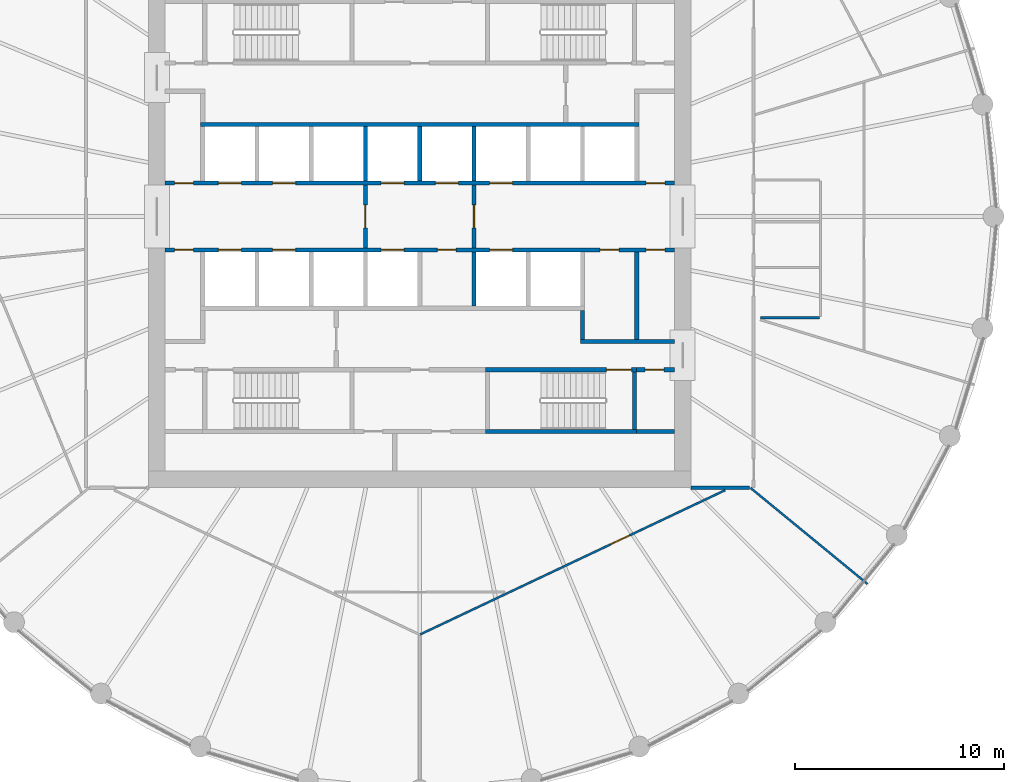
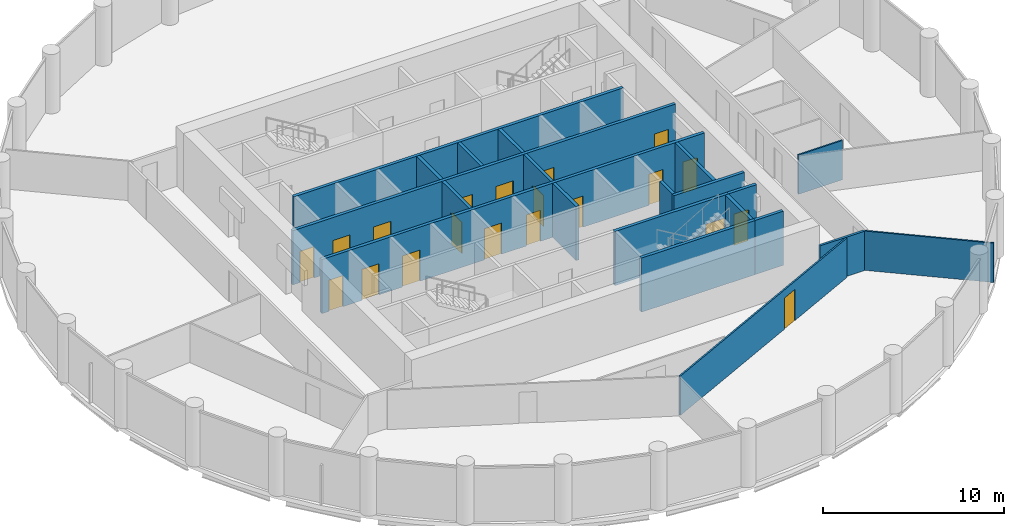
# One storey, part 5 of 8: 21 walls, 20 doors, 20 openings.
"""IFC4 building model written with IfcOpenShell, lengths in metres."""

from ifc_helpers import new_model, si_unit, direction, frame, frame_2d, origin, place, context, subcontext, project, spatial, polyline, rectangle, outline, extrude, material, layer, layer_set, type_object, element, fill, save


model = new_model("IFC4")

# Units and contexts
model_context = context("Model", 3, precision=1e-05, world=origin(), true_north=direction((0.0, 1.0)))
body_context = subcontext(model_context, "Body", "Model", "MODEL_VIEW")
ifc_project = project(units=[si_unit("LENGTHUNIT", "METRE"), si_unit("AREAUNIT", "SQUARE_METRE"), si_unit("VOLUMEUNIT", "CUBIC_METRE"), si_unit("PLANEANGLEUNIT", "RADIAN"), si_unit("MASSUNIT", "GRAM", prefix="KILO")], contexts=[model_context])

# Site, building, storey
site_placement = place(None, origin())
site = spatial("IfcSite", under=ifc_project, at=site_placement, CompositionType="ELEMENT")
building_placement = place(site_placement, origin())
building = spatial("IfcBuilding", under=site, at=building_placement, Name="Corvane Civic Tower", CompositionType="ELEMENT")
storey_placement = place(building_placement, frame((0.0, 0.0, 253.5)))
storey = spatial("IfcBuildingStorey", under=building, at=storey_placement, Name="L60", CompositionType="ELEMENT", Elevation=253.5)

# Wall, opening, door
ifc_material_1 = material(Name="Concrete C30/37", Category="concrete")
ifc_layer_1 = layer(ifc_material_1, 0.199951171875)
ifc_layer_set_1 = layer_set([ifc_layer_1], Name="Concrete C30/37")
wall_type_1 = type_object("IfcWallType", Name="CR-WALL-200", PredefinedType="PARTITIONING", material=ifc_layer_set_1)
wall_1_placement = place(storey_placement, frame((10.39990234375, -7.35009765625, 0.0), z_axis=(0.0, 0.0, 1.0), x_axis=(1.0, 0.0, 0.0)))
wall_1 = element("IfcWall", 1, at=wall_1_placement, inside=storey, type_object=wall_type_1, Name="L60 core partition wall", PredefinedType="PARTITIONING", context=body_context, shape_type="SweptSolid", body=[
    extrude(rectangle(XDim=1.800048828125, YDim=0.199951171875, at=frame_2d((0.89990234375, 0.0))), origin(), (0.0, 0.0, 1.0), 3.64990234375),
])
opening_1_placement = place(wall_1_placement, frame((0.39990234375, 0.0, 0.0)))
opening_1 = element("IfcOpeningElement", 2, at=opening_1_placement, cuts=wall_1, Name="Opening L60.C16", PredefinedType="OPENING", context=body_context, shape_type="SweptSolid", body=[
    extrude(rectangle(XDim=0.89990234375, YDim=2.10009765625, at=frame_2d((0.449951171875, 1.050048828125))), frame((0.0, 0.10986328125, 0.0), z_axis=(0.0, -1.0, 0.0), x_axis=(1.0, 0.0, 0.0)), (0.0, 0.0, 1.0), 0.219970703125),
])
ifc_material_2 = material(Name="Steel fire door leaf", Category="steel")
door_type_1 = type_object("IfcDoorType", Name="CR-DOOR-900", OperationType="SINGLE_SWING_LEFT", PredefinedType="DOOR", material=ifc_material_2)
door_1_placement = place(opening_1_placement, origin())
door_1 = element("IfcDoor", 3, at=door_1_placement, inside=storey, type_object=door_type_1, Name="L60 door", OperationType="SINGLE_SWING_LEFT", OverallHeight=2.10009765625, OverallWidth=0.89990234375, PredefinedType="DOOR", context=body_context, shape_type="SweptSolid", body=[
    extrude(rectangle(XDim=0.89990234375, YDim=2.10009765625, at=frame_2d((0.449951171875, 1.050048828125))), frame((0.0, 0.02490234375, 0.0), z_axis=(0.0, -1.0, 0.0), x_axis=(1.0, 0.0, 0.0)), (0.0, 0.0, 1.0), 0.050048828125),
])
fill(opening_1, door_1)

# Wall, openings, doors
wall_2_placement = place(storey_placement, frame((-12.199951171875, -1.60009765625, 0.0), z_axis=(0.0, 0.0, 1.0), x_axis=(1.0, 0.0, 0.0)))
wall_2 = element("IfcWall", 4, at=wall_2_placement, inside=storey, type_object=wall_type_1, Name="L60 lift shaft wall", PredefinedType="PARTITIONING", context=body_context, shape_type="SweptSolid", body=[
    extrude(rectangle(XDim=24.39990234375, YDim=0.199951171875, at=frame_2d((12.199951171875, 0.0))), origin(), (0.0, 0.0, 1.0), 3.64990234375),
])
opening_2_placement = place(wall_2_placement, frame((2.550048828125, 0.0, 0.0)))
opening_2 = element("IfcOpeningElement", 5, at=opening_2_placement, cuts=wall_2, Name="Opening LD", PredefinedType="OPENING", context=body_context, shape_type="SweptSolid", body=[
    extrude(rectangle(XDim=1.10009765625, YDim=2.10009765625, at=frame_2d((0.550048828125, 1.050048828125))), frame((0.0, 0.10986328125, 0.0), z_axis=(0.0, -1.0, 0.0), x_axis=(1.0, 0.0, 0.0)), (0.0, 0.0, 1.0), 0.219970703125),
])
opening_3_placement = place(wall_2_placement, frame((5.14990234375, 0.0, 0.0)))
opening_3 = element("IfcOpeningElement", 6, at=opening_3_placement, cuts=wall_2, Name="Opening LD", PredefinedType="OPENING", context=body_context, shape_type="SweptSolid", body=[
    extrude(rectangle(XDim=1.10009765625, YDim=2.10009765625, at=frame_2d((0.550048828125, 1.050048828125))), frame((0.0, 0.10986328125, 0.0), z_axis=(0.0, -1.0, 0.0), x_axis=(1.0, 0.0, 0.0)), (0.0, 0.0, 1.0), 0.219970703125),
])
opening_4_placement = place(wall_2_placement, frame((10.35009765625, 0.0, 0.0)))
opening_4 = element("IfcOpeningElement", 7, at=opening_4_placement, cuts=wall_2, Name="Opening LD", PredefinedType="OPENING", context=body_context, shape_type="SweptSolid", body=[
    extrude(rectangle(XDim=1.10009765625, YDim=2.10009765625, at=frame_2d((0.550048828125, 1.050048828125))), frame((0.0, 0.10986328125, 0.0), z_axis=(0.0, -1.0, 0.0), x_axis=(1.0, 0.0, 0.0)), (0.0, 0.0, 1.0), 0.219970703125),
])
opening_5_placement = place(wall_2_placement, frame((13.050048828125, 0.0, 0.0)))
opening_5 = element("IfcOpeningElement", 8, at=opening_5_placement, cuts=wall_2, Name="Opening L60.C03", PredefinedType="OPENING", context=body_context, shape_type="SweptSolid", body=[
    extrude(rectangle(XDim=0.89990234375, YDim=2.10009765625, at=frame_2d((0.449951171875, 1.050048828125))), frame((0.0, 0.10986328125, 0.0), z_axis=(0.0, -1.0, 0.0), x_axis=(1.0, 0.0, 0.0)), (0.0, 0.0, 1.0), 0.219970703125),
])
opening_6_placement = place(wall_2_placement, frame((15.550048828125, 0.0, 0.0)))
opening_6 = element("IfcOpeningElement", 9, at=opening_6_placement, cuts=wall_2, Name="Opening LD", PredefinedType="OPENING", context=body_context, shape_type="SweptSolid", body=[
    extrude(rectangle(XDim=1.10009765625, YDim=2.10009765625, at=frame_2d((0.550048828125, 1.050048828125))), frame((0.0, 0.10986328125, 0.0), z_axis=(0.0, -1.0, 0.0), x_axis=(1.0, 0.0, 0.0)), (0.0, 0.0, 1.0), 0.219970703125),
])
opening_7_placement = place(wall_2_placement, frame((0.449951171875, 0.0, 0.0)))
opening_7 = element("IfcOpeningElement", 10, at=opening_7_placement, cuts=wall_2, Name="Opening L60.C04", PredefinedType="OPENING", context=body_context, shape_type="SweptSolid", body=[
    extrude(rectangle(XDim=0.89990234375, YDim=2.10009765625, at=frame_2d((0.449951171875, 1.050048828125))), frame((0.0, 0.10986328125, 0.0), z_axis=(0.0, -1.0, 0.0), x_axis=(1.0, 0.0, 0.0)), (0.0, 0.0, 1.0), 0.219970703125),
])
opening_8_placement = place(wall_2_placement, frame((20.85009765625, 0.0, 0.0)))
opening_8 = element("IfcOpeningElement", 11, at=opening_8_placement, cuts=wall_2, Name="Opening L60.C05", PredefinedType="OPENING", context=body_context, shape_type="SweptSolid", body=[
    extrude(rectangle(XDim=0.89990234375, YDim=2.10009765625, at=frame_2d((0.449951171875, 1.050048828125))), frame((0.0, 0.10986328125, 0.0), z_axis=(0.0, -1.0, 0.0), x_axis=(1.0, 0.0, 0.0)), (0.0, 0.0, 1.0), 0.219970703125),
])
opening_9_placement = place(wall_2_placement, frame((23.050048828125, 0.0, 0.0)))
opening_9 = element("IfcOpeningElement", 12, at=opening_9_placement, cuts=wall_2, Name="Opening L60.C06", PredefinedType="OPENING", context=body_context, shape_type="SweptSolid", body=[
    extrude(rectangle(XDim=0.89990234375, YDim=2.10009765625, at=frame_2d((0.449951171875, 1.050048828125))), frame((0.0, 0.10986328125, 0.0), z_axis=(0.0, -1.0, 0.0), x_axis=(1.0, 0.0, 0.0)), (0.0, 0.0, 1.0), 0.219970703125),
])
door_2_placement = place(opening_5_placement, origin())
door_2 = element("IfcDoor", 13, at=door_2_placement, inside=storey, type_object=door_type_1, Name="L60 door", OperationType="SINGLE_SWING_LEFT", OverallHeight=2.10009765625, OverallWidth=0.89990234375, PredefinedType="DOOR", context=body_context, shape_type="SweptSolid", body=[
    extrude(rectangle(XDim=0.89990234375, YDim=2.10009765625, at=frame_2d((0.449951171875, 1.050048828125))), frame((0.0, 0.02490234375, 0.0), z_axis=(0.0, -1.0, 0.0), x_axis=(1.0, 0.0, 0.0)), (0.0, 0.0, 1.0), 0.050048828125),
])
fill(opening_5, door_2)
door_3_placement = place(opening_7_placement, origin())
door_3 = element("IfcDoor", 14, at=door_3_placement, inside=storey, type_object=door_type_1, Name="L60 door", OperationType="SINGLE_SWING_LEFT", OverallHeight=2.10009765625, OverallWidth=0.89990234375, PredefinedType="DOOR", context=body_context, shape_type="SweptSolid", body=[
    extrude(rectangle(XDim=0.89990234375, YDim=2.10009765625, at=frame_2d((0.449951171875, 1.050048828125))), frame((0.0, 0.02490234375, 0.0), z_axis=(0.0, -1.0, 0.0), x_axis=(1.0, 0.0, 0.0)), (0.0, 0.0, 1.0), 0.050048828125),
])
fill(opening_7, door_3)
door_4_placement = place(opening_8_placement, origin())
door_4 = element("IfcDoor", 15, at=door_4_placement, inside=storey, type_object=door_type_1, Name="L60 door", OperationType="SINGLE_SWING_LEFT", OverallHeight=2.10009765625, OverallWidth=0.89990234375, PredefinedType="DOOR", context=body_context, shape_type="SweptSolid", body=[
    extrude(rectangle(XDim=0.89990234375, YDim=2.10009765625, at=frame_2d((0.449951171875, 1.050048828125))), frame((0.0, 0.02490234375, 0.0), z_axis=(0.0, -1.0, 0.0), x_axis=(1.0, 0.0, 0.0)), (0.0, 0.0, 1.0), 0.050048828125),
])
fill(opening_8, door_4)
door_5_placement = place(opening_9_placement, origin())
door_5 = element("IfcDoor", 16, at=door_5_placement, inside=storey, type_object=door_type_1, Name="L60 door", OperationType="SINGLE_SWING_LEFT", OverallHeight=2.10009765625, OverallWidth=0.89990234375, PredefinedType="DOOR", context=body_context, shape_type="SweptSolid", body=[
    extrude(rectangle(XDim=0.89990234375, YDim=2.10009765625, at=frame_2d((0.449951171875, 1.050048828125))), frame((0.0, 0.02490234375, 0.0), z_axis=(0.0, -1.0, 0.0), x_axis=(1.0, 0.0, 0.0)), (0.0, 0.0, 1.0), 0.050048828125),
])
fill(opening_9, door_5)
ifc_material_3 = material(Name="Stainless steel 316 door leaves", Category="steel")
door_type_2 = type_object("IfcDoorType", Name="LD", OperationType="DOUBLE_DOOR_SLIDING", PredefinedType="DOOR", material=ifc_material_3)
door_6_placement = place(opening_2_placement, origin())
door_6 = element("IfcDoor", 17, at=door_6_placement, inside=storey, type_object=door_type_2, Name="L60 landing door", OperationType="DOUBLE_DOOR_SLIDING", OverallHeight=2.10009765625, OverallWidth=1.10009765625, PredefinedType="DOOR", context=body_context, shape_type="SweptSolid", body=[
    extrude(rectangle(XDim=1.10009765625, YDim=2.10009765625, at=frame_2d((0.550048828125, 1.050048828125))), frame((0.0, 0.02490234375, 0.0), z_axis=(0.0, -1.0, 0.0), x_axis=(1.0, 0.0, 0.0)), (0.0, 0.0, 1.0), 0.050048828125),
])
fill(opening_2, door_6)
door_7_placement = place(opening_3_placement, origin())
door_7 = element("IfcDoor", 18, at=door_7_placement, inside=storey, type_object=door_type_2, Name="L60 landing door", OperationType="DOUBLE_DOOR_SLIDING", OverallHeight=2.10009765625, OverallWidth=1.10009765625, PredefinedType="DOOR", context=body_context, shape_type="SweptSolid", body=[
    extrude(rectangle(XDim=1.10009765625, YDim=2.10009765625, at=frame_2d((0.550048828125, 1.050048828125))), frame((0.0, 0.02490234375, 0.0), z_axis=(0.0, -1.0, 0.0), x_axis=(1.0, 0.0, 0.0)), (0.0, 0.0, 1.0), 0.050048828125),
])
fill(opening_3, door_7)
door_8_placement = place(opening_4_placement, origin())
door_8 = element("IfcDoor", 19, at=door_8_placement, inside=storey, type_object=door_type_2, Name="L60 landing door", OperationType="DOUBLE_DOOR_SLIDING", OverallHeight=2.10009765625, OverallWidth=1.10009765625, PredefinedType="DOOR", context=body_context, shape_type="SweptSolid", body=[
    extrude(rectangle(XDim=1.10009765625, YDim=2.10009765625, at=frame_2d((0.550048828125, 1.050048828125))), frame((0.0, 0.02490234375, 0.0), z_axis=(0.0, -1.0, 0.0), x_axis=(1.0, 0.0, 0.0)), (0.0, 0.0, 1.0), 0.050048828125),
])
fill(opening_4, door_8)
door_9_placement = place(opening_6_placement, origin())
door_9 = element("IfcDoor", 20, at=door_9_placement, inside=storey, type_object=door_type_2, Name="L60 landing door", OperationType="DOUBLE_DOOR_SLIDING", OverallHeight=2.10009765625, OverallWidth=1.10009765625, PredefinedType="DOOR", context=body_context, shape_type="SweptSolid", body=[
    extrude(rectangle(XDim=1.10009765625, YDim=2.10009765625, at=frame_2d((0.550048828125, 1.050048828125))), frame((0.0, 0.02490234375, 0.0), z_axis=(0.0, -1.0, 0.0), x_axis=(1.0, 0.0, 0.0)), (0.0, 0.0, 1.0), 0.050048828125),
])
fill(opening_6, door_9)

wall_3_placement = place(storey_placement, frame((-12.199951171875, 1.60009765625, 0.0), z_axis=(0.0, 0.0, 1.0), x_axis=(1.0, 0.0, 0.0)))
wall_3 = element("IfcWall", 21, at=wall_3_placement, inside=storey, type_object=wall_type_1, Name="L60 lift shaft wall", PredefinedType="PARTITIONING", context=body_context, shape_type="SweptSolid", body=[
    extrude(rectangle(XDim=24.39990234375, YDim=0.199951171875, at=frame_2d((12.199951171875, 0.0))), origin(), (0.0, 0.0, 1.0), 3.64990234375),
])
opening_10_placement = place(wall_3_placement, frame((2.550048828125, 0.0, 0.0)))
opening_10 = element("IfcOpeningElement", 22, at=opening_10_placement, cuts=wall_3, Name="Opening LD", PredefinedType="OPENING", context=body_context, shape_type="SweptSolid", body=[
    extrude(rectangle(XDim=1.10009765625, YDim=2.10009765625, at=frame_2d((0.550048828125, 1.050048828125))), frame((0.0, 0.10986328125, 0.0), z_axis=(0.0, -1.0, 0.0), x_axis=(1.0, 0.0, 0.0)), (0.0, 0.0, 1.0), 0.219970703125),
])
opening_11_placement = place(wall_3_placement, frame((5.14990234375, 0.0, 0.0)))
opening_11 = element("IfcOpeningElement", 23, at=opening_11_placement, cuts=wall_3, Name="Opening LD", PredefinedType="OPENING", context=body_context, shape_type="SweptSolid", body=[
    extrude(rectangle(XDim=1.10009765625, YDim=2.10009765625, at=frame_2d((0.550048828125, 1.050048828125))), frame((0.0, 0.10986328125, 0.0), z_axis=(0.0, -1.0, 0.0), x_axis=(1.0, 0.0, 0.0)), (0.0, 0.0, 1.0), 0.219970703125),
])
opening_12_placement = place(wall_3_placement, frame((10.35009765625, 0.0, 0.0)))
opening_12 = element("IfcOpeningElement", 24, at=opening_12_placement, cuts=wall_3, Name="Opening LD", PredefinedType="OPENING", context=body_context, shape_type="SweptSolid", body=[
    extrude(rectangle(XDim=1.10009765625, YDim=2.10009765625, at=frame_2d((0.550048828125, 1.050048828125))), frame((0.0, 0.10986328125, 0.0), z_axis=(0.0, -1.0, 0.0), x_axis=(1.0, 0.0, 0.0)), (0.0, 0.0, 1.0), 0.219970703125),
])
opening_13_placement = place(wall_3_placement, frame((12.949951171875, 0.0, 0.0)))
opening_13 = element("IfcOpeningElement", 25, at=opening_13_placement, cuts=wall_3, Name="Opening LD", PredefinedType="OPENING", context=body_context, shape_type="SweptSolid", body=[
    extrude(rectangle(XDim=1.10009765625, YDim=2.10009765625, at=frame_2d((0.550048828125, 1.050048828125))), frame((0.0, 0.10986328125, 0.0), z_axis=(0.0, -1.0, 0.0), x_axis=(1.0, 0.0, 0.0)), (0.0, 0.0, 1.0), 0.219970703125),
])
opening_14_placement = place(wall_3_placement, frame((15.550048828125, 0.0, 0.0)))
opening_14 = element("IfcOpeningElement", 26, at=opening_14_placement, cuts=wall_3, Name="Opening LD", PredefinedType="OPENING", context=body_context, shape_type="SweptSolid", body=[
    extrude(rectangle(XDim=1.10009765625, YDim=2.10009765625, at=frame_2d((0.550048828125, 1.050048828125))), frame((0.0, 0.10986328125, 0.0), z_axis=(0.0, -1.0, 0.0), x_axis=(1.0, 0.0, 0.0)), (0.0, 0.0, 1.0), 0.219970703125),
])
opening_15_placement = place(wall_3_placement, frame((0.449951171875, 0.0, 0.0)))
opening_15 = element("IfcOpeningElement", 27, at=opening_15_placement, cuts=wall_3, Name="Opening L60.C01", PredefinedType="OPENING", context=body_context, shape_type="SweptSolid", body=[
    extrude(rectangle(XDim=0.89990234375, YDim=2.10009765625, at=frame_2d((0.449951171875, 1.050048828125))), frame((0.0, 0.10986328125, 0.0), z_axis=(0.0, -1.0, 0.0), x_axis=(1.0, 0.0, 0.0)), (0.0, 0.0, 1.0), 0.219970703125),
])
opening_16_placement = place(wall_3_placement, frame((23.050048828125, 0.0, 0.0)))
opening_16 = element("IfcOpeningElement", 28, at=opening_16_placement, cuts=wall_3, Name="Opening L60.C02", PredefinedType="OPENING", context=body_context, shape_type="SweptSolid", body=[
    extrude(rectangle(XDim=0.89990234375, YDim=2.10009765625, at=frame_2d((0.449951171875, 1.050048828125))), frame((0.0, 0.10986328125, 0.0), z_axis=(0.0, -1.0, 0.0), x_axis=(1.0, 0.0, 0.0)), (0.0, 0.0, 1.0), 0.219970703125),
])
door_10_placement = place(opening_15_placement, origin())
door_10 = element("IfcDoor", 29, at=door_10_placement, inside=storey, type_object=door_type_1, Name="L60 door", OperationType="SINGLE_SWING_LEFT", OverallHeight=2.10009765625, OverallWidth=0.89990234375, PredefinedType="DOOR", context=body_context, shape_type="SweptSolid", body=[
    extrude(rectangle(XDim=0.89990234375, YDim=2.10009765625, at=frame_2d((0.449951171875, 1.050048828125))), frame((0.0, 0.02490234375, 0.0), z_axis=(0.0, -1.0, 0.0), x_axis=(1.0, 0.0, 0.0)), (0.0, 0.0, 1.0), 0.050048828125),
])
fill(opening_15, door_10)
door_11_placement = place(opening_16_placement, origin())
door_11 = element("IfcDoor", 30, at=door_11_placement, inside=storey, type_object=door_type_1, Name="L60 door", OperationType="SINGLE_SWING_LEFT", OverallHeight=2.10009765625, OverallWidth=0.89990234375, PredefinedType="DOOR", context=body_context, shape_type="SweptSolid", body=[
    extrude(rectangle(XDim=0.89990234375, YDim=2.10009765625, at=frame_2d((0.449951171875, 1.050048828125))), frame((0.0, 0.02490234375, 0.0), z_axis=(0.0, -1.0, 0.0), x_axis=(1.0, 0.0, 0.0)), (0.0, 0.0, 1.0), 0.050048828125),
])
fill(opening_16, door_11)
door_12_placement = place(opening_10_placement, origin())
door_12 = element("IfcDoor", 31, at=door_12_placement, inside=storey, type_object=door_type_2, Name="L60 landing door", OperationType="DOUBLE_DOOR_SLIDING", OverallHeight=2.10009765625, OverallWidth=1.10009765625, PredefinedType="DOOR", context=body_context, shape_type="SweptSolid", body=[
    extrude(rectangle(XDim=1.10009765625, YDim=2.10009765625, at=frame_2d((0.550048828125, 1.050048828125))), frame((0.0, 0.02490234375, 0.0), z_axis=(0.0, -1.0, 0.0), x_axis=(1.0, 0.0, 0.0)), (0.0, 0.0, 1.0), 0.050048828125),
])
fill(opening_10, door_12)
door_13_placement = place(opening_11_placement, origin())
door_13 = element("IfcDoor", 32, at=door_13_placement, inside=storey, type_object=door_type_2, Name="L60 landing door", OperationType="DOUBLE_DOOR_SLIDING", OverallHeight=2.10009765625, OverallWidth=1.10009765625, PredefinedType="DOOR", context=body_context, shape_type="SweptSolid", body=[
    extrude(rectangle(XDim=1.10009765625, YDim=2.10009765625, at=frame_2d((0.550048828125, 1.050048828125))), frame((0.0, 0.02490234375, 0.0), z_axis=(0.0, -1.0, 0.0), x_axis=(1.0, 0.0, 0.0)), (0.0, 0.0, 1.0), 0.050048828125),
])
fill(opening_11, door_13)
door_14_placement = place(opening_12_placement, origin())
door_14 = element("IfcDoor", 33, at=door_14_placement, inside=storey, type_object=door_type_2, Name="L60 landing door", OperationType="DOUBLE_DOOR_SLIDING", OverallHeight=2.10009765625, OverallWidth=1.10009765625, PredefinedType="DOOR", context=body_context, shape_type="SweptSolid", body=[
    extrude(rectangle(XDim=1.10009765625, YDim=2.10009765625, at=frame_2d((0.550048828125, 1.050048828125))), frame((0.0, 0.02490234375, 0.0), z_axis=(0.0, -1.0, 0.0), x_axis=(1.0, 0.0, 0.0)), (0.0, 0.0, 1.0), 0.050048828125),
])
fill(opening_12, door_14)
door_15_placement = place(opening_13_placement, origin())
door_15 = element("IfcDoor", 34, at=door_15_placement, inside=storey, type_object=door_type_2, Name="L60 landing door", OperationType="DOUBLE_DOOR_SLIDING", OverallHeight=2.10009765625, OverallWidth=1.10009765625, PredefinedType="DOOR", context=body_context, shape_type="SweptSolid", body=[
    extrude(rectangle(XDim=1.10009765625, YDim=2.10009765625, at=frame_2d((0.550048828125, 1.050048828125))), frame((0.0, 0.02490234375, 0.0), z_axis=(0.0, -1.0, 0.0), x_axis=(1.0, 0.0, 0.0)), (0.0, 0.0, 1.0), 0.050048828125),
])
fill(opening_13, door_15)
door_16_placement = place(opening_14_placement, origin())
door_16 = element("IfcDoor", 35, at=door_16_placement, inside=storey, type_object=door_type_2, Name="L60 landing door", OperationType="DOUBLE_DOOR_SLIDING", OverallHeight=2.10009765625, OverallWidth=1.10009765625, PredefinedType="DOOR", context=body_context, shape_type="SweptSolid", body=[
    extrude(rectangle(XDim=1.10009765625, YDim=2.10009765625, at=frame_2d((0.550048828125, 1.050048828125))), frame((0.0, 0.02490234375, 0.0), z_axis=(0.0, -1.0, 0.0), x_axis=(1.0, 0.0, 0.0)), (0.0, 0.0, 1.0), 0.050048828125),
])
fill(opening_14, door_16)

# Wall, opening, door
wall_4_placement = place(storey_placement, frame((-2.60009765625, -1.5, 0.0), z_axis=(0.0, 0.0, 1.0), x_axis=(0.0, 1.0, 0.0)))
wall_4 = element("IfcWall", 36, at=wall_4_placement, inside=storey, type_object=wall_type_1, Name="L60 firefighting lobby wall", PredefinedType="PARTITIONING", context=body_context, shape_type="SweptSolid", body=[
    extrude(rectangle(XDim=3.0, YDim=0.199951171875, at=frame_2d((1.5, 0.0))), origin(), (0.0, 0.0, 1.0), 3.64990234375),
])
opening_17_placement = place(wall_4_placement, frame((0.949951171875, 0.0, 0.0)))
opening_17 = element("IfcOpeningElement", 37, at=opening_17_placement, cuts=wall_4, Name="Opening L60.C21", PredefinedType="OPENING", context=body_context, shape_type="SweptSolid", body=[
    extrude(rectangle(XDim=1.10009765625, YDim=2.10009765625, at=frame_2d((0.550048828125, 1.050048828125))), frame((0.0, 0.10986328125, 0.0), z_axis=(0.0, -1.0, 0.0), x_axis=(1.0, 0.0, 0.0)), (0.0, 0.0, 1.0), 0.219970703125),
])
ifc_material_4 = material(Name="Steel fire door leaf", Category="steel")
door_type_3 = type_object("IfcDoorType", Name="CR-DOOR-FFL-1100", OperationType="SINGLE_SWING_LEFT", PredefinedType="DOOR", material=ifc_material_4)
door_17_placement = place(opening_17_placement, origin())
door_17 = element("IfcDoor", 38, at=door_17_placement, inside=storey, type_object=door_type_3, Name="L60 lobby door", OperationType="SINGLE_SWING_LEFT", OverallHeight=2.10009765625, OverallWidth=1.10009765625, PredefinedType="DOOR", context=body_context, shape_type="SweptSolid", body=[
    extrude(rectangle(XDim=1.10009765625, YDim=2.10009765625, at=frame_2d((0.550048828125, 1.050048828125))), frame((0.0, 0.02490234375, 0.0), z_axis=(0.0, -1.0, 0.0), x_axis=(1.0, 0.0, 0.0)), (0.0, 0.0, 1.0), 0.050048828125),
])
fill(opening_17, door_17)

wall_5_placement = place(storey_placement, frame((2.60009765625, -1.5, 0.0), z_axis=(0.0, 0.0, 1.0), x_axis=(0.0, 1.0, 0.0)))
wall_5 = element("IfcWall", 39, at=wall_5_placement, inside=storey, type_object=wall_type_1, Name="L60 firefighting lobby wall", PredefinedType="PARTITIONING", context=body_context, shape_type="SweptSolid", body=[
    extrude(rectangle(XDim=3.0, YDim=0.199951171875, at=frame_2d((1.5, 0.0))), origin(), (0.0, 0.0, 1.0), 3.64990234375),
])
opening_18_placement = place(wall_5_placement, frame((0.949951171875, 0.0, 0.0)))
opening_18 = element("IfcOpeningElement", 40, at=opening_18_placement, cuts=wall_5, Name="Opening L60.C22", PredefinedType="OPENING", context=body_context, shape_type="SweptSolid", body=[
    extrude(rectangle(XDim=1.10009765625, YDim=2.10009765625, at=frame_2d((0.550048828125, 1.050048828125))), frame((0.0, 0.10986328125, 0.0), z_axis=(0.0, -1.0, 0.0), x_axis=(1.0, 0.0, 0.0)), (0.0, 0.0, 1.0), 0.219970703125),
])
door_18_placement = place(opening_18_placement, origin())
door_18 = element("IfcDoor", 41, at=door_18_placement, inside=storey, type_object=door_type_3, Name="L60 lobby door", OperationType="SINGLE_SWING_LEFT", OverallHeight=2.10009765625, OverallWidth=1.10009765625, PredefinedType="DOOR", context=body_context, shape_type="SweptSolid", body=[
    extrude(rectangle(XDim=1.10009765625, YDim=2.10009765625, at=frame_2d((0.550048828125, 1.050048828125))), frame((0.0, 0.02490234375, 0.0), z_axis=(0.0, -1.0, 0.0), x_axis=(1.0, 0.0, 0.0)), (0.0, 0.0, 1.0), 0.050048828125),
])
fill(opening_18, door_18)

# Walls
wall_6_placement = place(storey_placement, origin())
element("IfcWall", 42, at=wall_6_placement, inside=storey, type_object=wall_type_1, Name="L60 core partition wall", PredefinedType="PARTITIONING", context=body_context, shape_type="SweptSolid", body=[
    extrude(outline(polyline([(12.199951171875, -6.10009765625), (7.699951171875, -6.10009765625), (7.699951171875, -5.89990234375), (12.199951171875, -5.89990234375), (12.199951171875, -6.10009765625)])), origin(), (0.0, 0.0, 1.0), 3.64990234375),
])
wall_7_placement = place(storey_placement, origin())
element("IfcWall", 43, at=wall_7_placement, inside=storey, type_object=wall_type_1, Name="L60 core partition wall", PredefinedType="PARTITIONING", context=body_context, shape_type="SweptSolid", body=[
    extrude(outline(polyline([(10.5, -1.699951171875), (10.5, -5.89990234375), (10.300048828125, -5.89990234375), (10.300048828125, -1.699951171875), (10.5, -1.699951171875)])), origin(), (0.0, 0.0, 1.0), 3.64990234375),
])
wall_8_placement = place(storey_placement, origin())
element("IfcWall", 44, at=wall_8_placement, inside=storey, type_object=wall_type_1, Name="L60 core partition wall", PredefinedType="PARTITIONING", context=body_context, shape_type="SweptSolid", body=[
    extrude(outline(polyline([(2.699951171875, -1.699951171875), (2.699951171875, -4.2998046875), (2.5, -4.2998046875), (2.5, -1.699951171875), (2.699951171875, -1.699951171875)])), origin(), (0.0, 0.0, 1.0), 3.64990234375),
])
wall_9_placement = place(storey_placement, origin())
element("IfcWall", 45, at=wall_9_placement, inside=storey, type_object=wall_type_1, Name="L60 core partition wall", PredefinedType="PARTITIONING", context=body_context, shape_type="SweptSolid", body=[
    extrude(outline(polyline([(7.89990234375, -5.89990234375), (7.699951171875, -5.89990234375), (7.699951171875, -4.5), (7.89990234375, -4.5), (7.89990234375, -5.89990234375)])), origin(), (0.0, 0.0, 1.0), 3.64990234375),
])
wall_10_placement = place(storey_placement, origin())
element("IfcWall", 46, at=wall_10_placement, inside=storey, type_object=wall_type_1, Name="L60 core partition wall", PredefinedType="PARTITIONING", context=body_context, shape_type="SweptSolid", body=[
    extrude(outline(polyline([(10.5, 4.5), (10.5, 4.300048828125), (-10.5, 4.300048828125), (-10.5, 4.5), (10.5, 4.5)])), origin(), (0.0, 0.0, 1.0), 3.64990234375),
])
wall_11_placement = place(storey_placement, origin())
element("IfcWall", 47, at=wall_11_placement, inside=storey, type_object=wall_type_1, Name="L60 core partition wall", PredefinedType="PARTITIONING", context=body_context, shape_type="SweptSolid", body=[
    extrude(outline(polyline([(-2.5, 1.699951171875), (-2.699951171875, 1.699951171875), (-2.699951171875, 4.2998046875), (-2.5, 4.2998046875), (-2.5, 1.699951171875)])), origin(), (0.0, 0.0, 1.0), 3.64990234375),
])
wall_12_placement = place(storey_placement, origin())
element("IfcWall", 48, at=wall_12_placement, inside=storey, type_object=wall_type_1, Name="L60 core partition wall", PredefinedType="PARTITIONING", context=body_context, shape_type="SweptSolid", body=[
    extrude(outline(polyline([(2.699951171875, 1.699951171875), (2.5, 1.699951171875), (2.5, 4.2998046875), (2.699951171875, 4.2998046875), (2.699951171875, 1.699951171875)])), origin(), (0.0, 0.0, 1.0), 3.64990234375),
])
wall_13_placement = place(storey_placement, origin())
element("IfcWall", 49, at=wall_13_placement, inside=storey, type_object=wall_type_1, Name="L60 core partition wall", PredefinedType="PARTITIONING", context=body_context, shape_type="SweptSolid", body=[
    extrude(outline(polyline([(0.10009765625, 1.699951171875), (-0.10009765625, 1.699951171875), (-0.10009765625, 4.2998046875), (0.10009765625, 4.2998046875), (0.10009765625, 1.699951171875)])), origin(), (0.0, 0.0, 1.0), 3.64990234375),
])
wall_14_placement = place(storey_placement, origin())
element("IfcWall", 50, at=wall_14_placement, inside=storey, type_object=wall_type_1, Name="L60 core partition wall", PredefinedType="PARTITIONING", context=body_context, shape_type="SweptSolid", body=[
    extrude(outline(polyline([(10.39990234375, -10.39990234375), (10.39990234375, -10.199951171875), (12.199951171875, -10.199951171875), (12.199951171875, -10.39990234375), (10.39990234375, -10.39990234375)])), origin(), (0.0, 0.0, 1.0), 3.64990234375),
])

# Wall, opening, door
ifc_material_5 = material(Name="Plasterboard")
ifc_layer_2 = layer(ifc_material_5, 0.10009765625)
ifc_layer_set_2 = layer_set([ifc_layer_2], Name="Plasterboard")
wall_type_2 = type_object("IfcWallType", Name="Partition 100 plasterboard on studs", PredefinedType="PARTITIONING", material=ifc_layer_set_2)
wall_15_placement = place(storey_placement, frame((0.028564453125, -20.02734375, 0.0), z_axis=(0.0, 0.0, 1.0), x_axis=(0.903988165601, 0.427557477368, 0.0)))
wall_15 = element("IfcWall", 51, at=wall_15_placement, inside=storey, type_object=wall_type_2, Name="Partition L60.003", PredefinedType="PARTITIONING", context=body_context, shape_type="SweptSolid", body=[
    extrude(rectangle(XDim=16.155029296875, YDim=0.10009765625, at=frame_2d((8.07763671875, 0.0))), origin(), (0.0, 0.0, 1.0), 2.64990234375),
])
opening_19_placement = place(wall_15_placement, frame((10.089111328125, 0.0, 0.0)))
opening_19 = element("IfcOpeningElement", 52, at=opening_19_placement, cuts=wall_15, Name="Opening L60.002", PredefinedType="OPENING", context=body_context, shape_type="SweptSolid", body=[
    extrude(rectangle(XDim=1.0, YDim=2.10009765625, at=frame_2d((0.5, 1.050048828125))), frame((0.0, 0.06005859375, 0.0), z_axis=(0.0, -1.0, 0.0), x_axis=(1.0, 0.0, 0.0)), (0.0, 0.0, 1.0), 0.1201171875),
])
ifc_material_6 = material(Name="Timber", Category="wood")
door_type_4 = type_object("IfcDoorType", Name="Single door 1000", OperationType="NOTDEFINED", PredefinedType="DOOR", material=ifc_material_6)
door_19_placement = place(opening_19_placement, frame((1.0, 0.0, 0.0), z_axis=(0.0, 0.0, 1.0), x_axis=(-1.0, 0.0, 0.0)))
door_19 = element("IfcDoor", 53, at=door_19_placement, inside=storey, type_object=door_type_4, Name="Door L60.002", OperationType="SINGLE_SWING_LEFT", OverallHeight=2.10009765625, OverallWidth=1.0, PredefinedType="DOOR", context=body_context, shape_type="SweptSolid", body=[
    extrude(rectangle(XDim=1.0, YDim=2.10009765625, at=frame_2d((0.5, 1.050048828125))), frame((0.0, 0.02490234375, 0.0), z_axis=(0.0, -1.0, 0.0), x_axis=(1.0, 0.0, 0.0)), (0.0, 0.0, 1.0), 0.050048828125),
])
fill(opening_19, door_19)

# Walls
wall_16_placement = place(storey_placement, frame((15.8544921875, -13.01123046875, 0.0), z_axis=(0.0, 0.0, 1.0), x_axis=(0.772997895748, -0.634408585352, 0.0)))
element("IfcWall", 54, at=wall_16_placement, inside=storey, type_object=wall_type_2, Name="Partition L60.006", PredefinedType="PARTITIONING", context=body_context, shape_type="SweptSolid", body=[
    extrude(rectangle(XDim=7.240234375, YDim=0.10009765625, at=frame_2d((3.6201171875, 0.0))), origin(), (0.0, 0.0, 1.0), 2.64990234375),
])
wall_17_placement = place(storey_placement, frame((16.337158203125, -4.853515625, 0.0), z_axis=(0.0, 0.0, 1.0), x_axis=(1.0, 0.0, 0.0)))
element("IfcWall", 55, at=wall_17_placement, inside=storey, type_object=wall_type_2, Name="Partition L60.014", PredefinedType="PARTITIONING", context=body_context, shape_type="SweptSolid", body=[
    extrude(rectangle(XDim=2.812744140625, YDim=0.10009765625, at=frame_2d((1.40625, 0.0))), origin(), (0.0, 0.0, 1.0), 2.64990234375),
])

# Wall, opening, door
ifc_material_7 = material(Name="Concrete C50/60", Category="concrete")
ifc_layer_3 = layer(ifc_material_7, 0.199951171875)
ifc_layer_set_3 = layer_set([ifc_layer_3], Name="Concrete C50/60")
wall_type_3 = type_object("IfcWallType", Name="ST-WALL-200", PredefinedType="SHEAR", material=ifc_layer_set_3)
wall_18_placement = place(storey_placement, frame((3.14990234375, -7.35009765625, 0.0), z_axis=(0.0, 0.0, 1.0), x_axis=(1.0, 0.0, 0.0)))
wall_18 = element("IfcWall", 56, at=wall_18_placement, inside=storey, type_object=wall_type_3, Name="L60 stair enclosure wall", PredefinedType="SHEAR", context=body_context, shape_type="SweptSolid", body=[
    extrude(rectangle(XDim=7.25, YDim=0.199951171875, at=frame_2d((3.625, 0.0))), origin(), (0.0, 0.0, 1.0), 3.64990234375),
])
opening_20_placement = place(wall_18_placement, frame((5.800048828125, 0.0, 0.0)))
opening_20 = element("IfcOpeningElement", 57, at=opening_20_placement, cuts=wall_18, Name="Opening L60.C19", PredefinedType="OPENING", context=body_context, shape_type="SweptSolid", body=[
    extrude(rectangle(XDim=1.199951171875, YDim=2.10009765625, at=frame_2d((0.60009765625, 1.050048828125))), frame((0.0, 0.10986328125, 0.0), z_axis=(0.0, -1.0, 0.0), x_axis=(1.0, 0.0, 0.0)), (0.0, 0.0, 1.0), 0.219970703125),
])
ifc_material_8 = material(Name="Steel fire door leaf", Category="steel")
door_type_5 = type_object("IfcDoorType", Name="ST-DOOR-1200", OperationType="SINGLE_SWING_RIGHT", PredefinedType="DOOR", material=ifc_material_8)
door_20_placement = place(opening_20_placement, origin())
door_20 = element("IfcDoor", 58, at=door_20_placement, inside=storey, type_object=door_type_5, Name="L60 stair door", OperationType="SINGLE_SWING_RIGHT", OverallHeight=2.10009765625, OverallWidth=1.199951171875, PredefinedType="DOOR", context=body_context, shape_type="SweptSolid", body=[
    extrude(rectangle(XDim=1.199951171875, YDim=2.10009765625, at=frame_2d((0.60009765625, 1.050048828125))), frame((0.0, 0.02490234375, 0.0), z_axis=(0.0, -1.0, 0.0), x_axis=(1.0, 0.0, 0.0)), (0.0, 0.0, 1.0), 0.050048828125),
])
fill(opening_20, door_20)

# Walls
wall_19_placement = place(storey_placement, origin())
element("IfcWall", 59, at=wall_19_placement, inside=storey, type_object=wall_type_3, Name="L60 stair enclosure wall", PredefinedType="SHEAR", context=body_context, shape_type="SweptSolid", body=[
    extrude(outline(polyline([(10.39990234375, -10.39990234375), (3.14990234375, -10.39990234375), (3.14990234375, -10.199951171875), (10.39990234375, -10.199951171875), (10.39990234375, -10.39990234375)])), origin(), (0.0, 0.0, 1.0), 3.64990234375),
])
wall_20_placement = place(storey_placement, origin())
element("IfcWall", 60, at=wall_20_placement, inside=storey, type_object=wall_type_3, Name="L60 stair enclosure wall", PredefinedType="SHEAR", context=body_context, shape_type="SweptSolid", body=[
    extrude(outline(polyline([(10.39990234375, -7.449951171875), (10.39990234375, -10.199951171875), (10.199951171875, -10.199951171875), (10.199951171875, -7.449951171875), (10.39990234375, -7.449951171875)])), origin(), (0.0, 0.0, 1.0), 3.64990234375),
])
ifc_material_9 = material(Name="Plasterboard")
ifc_layer_4 = layer(ifc_material_9, 0.14990234375)
ifc_layer_set_4 = layer_set([ifc_layer_4], Name="Plasterboard")
wall_type_4 = type_object("IfcWallType", Name="Tenancy wall 150 EI 60", PredefinedType="PARTITIONING", material=ifc_layer_set_4)
wall_21_placement = place(storey_placement, frame((12.989990234375, -13.0, 0.0), z_axis=(0.0, 0.0, 1.0), x_axis=(1.0, 0.0, 0.0)))
element("IfcWall", 61, at=wall_21_placement, inside=storey, type_object=wall_type_4, Name="Partition L60.010", PredefinedType="PARTITIONING", context=body_context, shape_type="SweptSolid", body=[
    extrude(rectangle(XDim=2.82373046875, YDim=0.14990234375, at=frame_2d((1.411865234375, 0.0))), origin(), (0.0, 0.0, 1.0), 2.64990234375),
])

save(model, "model.ifc")
